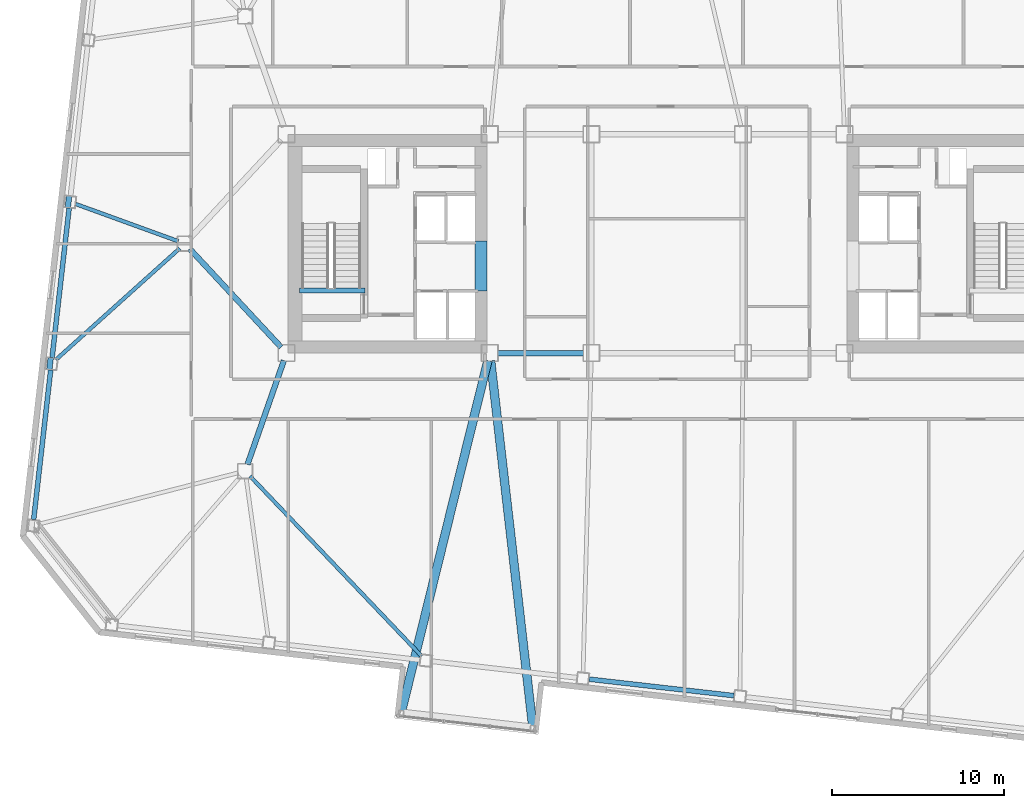
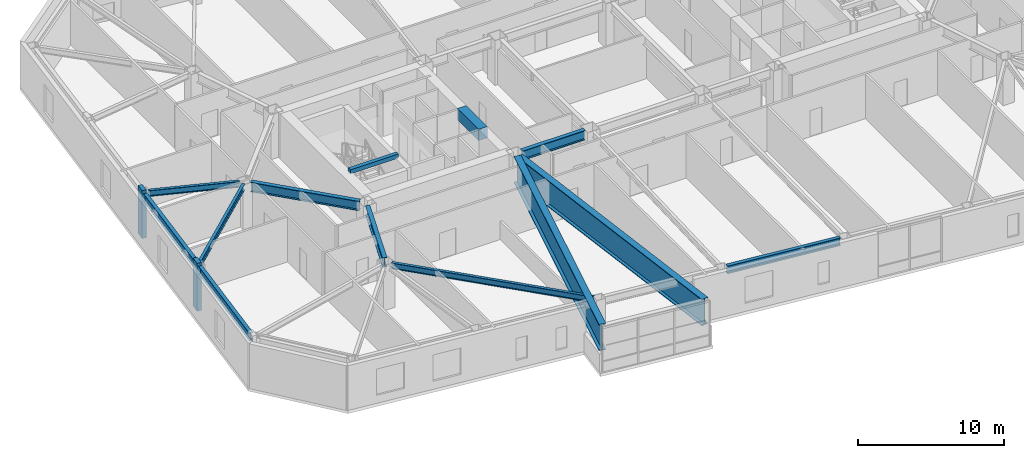
# One storey, part 4 of 22: 13 beams, 2 members.
"""IFC4 building model written with IfcOpenShell, lengths in metres."""

from ifc_helpers import new_model, si_unit, direction, frame, origin, origin_2d, place, context, subcontext, project, spatial, rectangle, i_section, extrude, material, material_profile, profile_set, type_object, element, save


model = new_model("IFC4")

# Units and contexts
model_context = context("Model", 3, precision=1e-05, world=origin(), true_north=direction((0.0, 1.0)))
body_context = subcontext(model_context, "Body", "Model", "MODEL_VIEW")
ifc_project = project(units=[si_unit("LENGTHUNIT", "METRE"), si_unit("AREAUNIT", "SQUARE_METRE"), si_unit("VOLUMEUNIT", "CUBIC_METRE"), si_unit("PLANEANGLEUNIT", "RADIAN"), si_unit("MASSUNIT", "GRAM", prefix="KILO")], contexts=[model_context])

# Site, building, storey
site_placement = place(None, origin())
site = spatial("IfcSite", under=ifc_project, at=site_placement, CompositionType="ELEMENT")
building_placement = place(site_placement, origin())
building = spatial("IfcBuilding", under=site, at=building_placement, Name="Tavrogorsk Clinical Tower", CompositionType="ELEMENT")
storey_placement = place(building_placement, frame((0.0, 0.0, 93.39990234375)))
storey = spatial("IfcBuildingStorey", under=building, at=storey_placement, Name="L20", CompositionType="ELEMENT", Elevation=93.39990234375)

# Beams
ifc_material_1 = material(Name="Concrete B80", Category="concrete")
ifc_material_profile_1 = material_profile(ifc_material_1, rectangle(XDim=0.699951171875, YDim=0.949951171875, at=origin_2d()), Name="RC-CB-700x950")
ifc_profile_set_1 = profile_set([ifc_material_profile_1], Name="Concrete B80")
beam_type_1 = type_object("IfcBeamType", Name="CouplingBeam_RC700x950", PredefinedType="LINTEL", material=ifc_profile_set_1)
beam_1_placement = place(storey_placement, frame((-10.800048828125, -2.75, 3.26513671875), z_axis=(0.0, 1.0, 0.0), x_axis=(-1.0, 0.0, 0.0)))
element("IfcBeam", 1, at=beam_1_placement, inside=storey, type_object=beam_type_1, Name="L20 Core West Coupling Beam", PredefinedType="LINTEL", context=body_context, shape_type="SweptSolid", body=[
    extrude(rectangle(XDim=0.699951171875, YDim=0.949951171875, at=origin_2d()), origin(), (0.0, 0.0, 1.0), 2.89990234375),
])
ifc_material_2 = material(Name="Structural steel S355", Category="steel")
ifc_material_profile_2 = material_profile(ifc_material_2, i_section(OverallWidth=0.219970703125, OverallDepth=0.5, WebThickness=0.012939453125, FlangeThickness=0.02001953125, at=origin_2d()), Name="B-500x220x13x20")
ifc_profile_set_2 = profile_set([ifc_material_profile_2], Name="Structural steel S355")
beam_type_2 = type_object("IfcBeamType", Name="FloorBeam_B500", PredefinedType="BEAM", material=ifc_profile_set_2)
beam_2_placement = place(storey_placement, frame((-24.217041015625, -13.496826171875, 3.489990234375), z_axis=(0.689995410805, -0.723813741972, 0.0), x_axis=(0.723813741972, 0.689995410805, 0.0)))
element("IfcBeam", 2, at=beam_2_placement, inside=storey, type_object=beam_type_2, Name="L20 Radial Floor Beam S3", PredefinedType="BEAM", context=body_context, shape_type="SweptSolid", body=[
    extrude(i_section(OverallWidth=0.219970703125, OverallDepth=0.5, WebThickness=0.012939453125, FlangeThickness=0.02001953125, at=origin_2d()), origin(), (0.0, 0.0, 1.0), 14.4384765625),
])
beam_3_placement = place(storey_placement, frame((-28.385498046875, 0.139892578125, 3.489990234375), z_axis=(-0.939993443432, 0.341192506225, 0.0), x_axis=(-0.341192506225, -0.939993443432, 0.0)))
element("IfcBeam", 3, at=beam_3_placement, inside=storey, type_object=beam_type_2, Name="L20 Radial Floor Beam W3", PredefinedType="BEAM", context=body_context, shape_type="SweptSolid", body=[
    extrude(i_section(OverallWidth=0.219970703125, OverallDepth=0.5, WebThickness=0.012939453125, FlangeThickness=0.02001953125, at=origin_2d()), origin(), (0.0, 0.0, 1.0), 6.33837890625),
])
beam_4_placement = place(storey_placement, frame((-28.3046875, -0.274169921875, 3.489990234375), z_axis=(-0.743369550828, -0.668880939257, 0.0), x_axis=(0.668880939257, -0.743369550828, 0.0)))
element("IfcBeam", 4, at=beam_4_placement, inside=storey, type_object=beam_type_2, Name="L20 Radial Floor Beam W4", PredefinedType="BEAM", context=body_context, shape_type="SweptSolid", body=[
    extrude(i_section(OverallWidth=0.219970703125, OverallDepth=0.5, WebThickness=0.012939453125, FlangeThickness=0.02001953125, at=origin_2d()), origin(), (0.0, 0.0, 1.0), 9.658935546875),
])

# Members
ifc_material_3 = material(Name="Precast concrete B45 with limestone cladding", Category="masonry")
ifc_material_profile_3 = material_profile(ifc_material_3, rectangle(XDim=0.320068359375, YDim=0.719970703125, at=origin_2d()), Name="LIMESTONE-FIN-320x720")
ifc_profile_set_3 = profile_set([ifc_material_profile_3], Name="Precast concrete B45 with limestone cladding")
member_type = type_object("IfcMemberType", Name="LimestonePleatFin_320x720", PredefinedType="USERDEFINED", material=ifc_profile_set_3)
for number, where, z_axis, x_axis, name in (
    (5, (-34.759521484375, 2.433837890625, 0.0), (0.0, 0.0, 1.0), (0.993571855677, -0.113203213768, 0.0), "L20 W Pleated Stone Fin 2"),
    (6, (-35.83056640625, -6.96533203125, 0.0), (0.0, 0.0, 1.0), (0.993571855677, -0.113203213768, 0.0), "L20 W Pleated Stone Fin 3"),
):
    element("IfcMember", number, at=place(storey_placement, frame(where, z_axis=z_axis, x_axis=x_axis)), inside=storey, type_object=member_type, Name=name, ObjectType="FIN", PredefinedType="USERDEFINED", context=body_context, shape_type="SweptSolid", body=[
        extrude(rectangle(XDim=0.320068359375, YDim=0.719970703125, at=origin_2d()), origin(), (0.0, 0.0, 1.0), 4.0),
    ])

# Beams
ifc_material_4 = material(Name="Structural steel S390", Category="steel")
ifc_material_profile_4 = material_profile(ifc_material_4, i_section(OverallWidth=0.320068359375, OverallDepth=0.800048828125, WebThickness=0.02001953125, FlangeThickness=0.033935546875, at=origin_2d()), Name="B-800x320x20x34")
ifc_profile_set_4 = profile_set([ifc_material_profile_4], Name="Structural steel S390")
beam_type_3 = type_object("IfcBeamType", Name="PrimaryGirder_B800", PredefinedType="USERDEFINED", material=ifc_profile_set_4)
beam_5_placement = place(storey_placement, frame((-9.840087890625, -6.35009765625, 3.340087890625), z_axis=(1.0, 0.0, 0.0), x_axis=(0.0, 1.0, 0.0)))
element("IfcBeam", 7, at=beam_5_placement, inside=storey, type_object=beam_type_3, Name="L20 Primary Spine Girder MG-01", ObjectType="GIRDER", PredefinedType="USERDEFINED", context=body_context, shape_type="SweptSolid", body=[
    extrude(i_section(OverallWidth=0.320068359375, OverallDepth=0.800048828125, WebThickness=0.02001953125, FlangeThickness=0.033935546875, at=origin_2d()), origin(), (0.0, 0.0, 1.0), 4.97998046875),
])
beam_6_placement = place(storey_placement, frame((-24.364501953125, -12.81298828125, 3.340087890625), z_axis=(0.330660234815, 0.943749865755, 0.0), x_axis=(-0.943749865755, 0.330660234815, 0.0)))
element("IfcBeam", 8, at=beam_6_placement, inside=storey, type_object=beam_type_3, Name="L20 Spine Link Girder OPG-1", ObjectType="GIRDER", PredefinedType="USERDEFINED", context=body_context, shape_type="SweptSolid", body=[
    extrude(i_section(OverallWidth=0.320068359375, OverallDepth=0.800048828125, WebThickness=0.02001953125, FlangeThickness=0.033935546875, at=origin_2d()), origin(), (0.0, 0.0, 1.0), 6.38818359375),
])
beam_7_placement = place(storey_placement, frame((-27.720947265625, -0.30029296875, 3.340087890625), z_axis=(0.680675630035, -0.732584934787, 0.0), x_axis=(0.732584934787, 0.680675630035, 0.0)))
element("IfcBeam", 9, at=beam_7_placement, inside=storey, type_object=beam_type_3, Name="L20 Spine Link Girder OPG-5", ObjectType="GIRDER", PredefinedType="USERDEFINED", context=body_context, shape_type="SweptSolid", body=[
    extrude(i_section(OverallWidth=0.320068359375, OverallDepth=0.800048828125, WebThickness=0.02001953125, FlangeThickness=0.033935546875, at=origin_2d()), origin(), (0.0, 0.0, 1.0), 7.7978515625),
])
ifc_material_5 = material(Name="Structural steel S390", Category="steel")
ifc_material_profile_5 = material_profile(ifc_material_5, i_section(OverallWidth=0.280029296875, OverallDepth=0.64990234375, WebThickness=0.01611328125, FlangeThickness=0.02490234375, at=origin_2d()), Name="B-650x280x16x25")
ifc_profile_set_5 = profile_set([ifc_material_profile_5], Name="Structural steel S390")
beam_type_4 = type_object("IfcBeamType", Name="SpandrelBeam_B650", PredefinedType="SPANDREL", material=ifc_profile_set_5)
beam_8_placement = place(storey_placement, frame((-4.533935546875, -25.2861328125, 3.4150390625), z_axis=(0.993572695356, -0.113195843756, 0.0), x_axis=(0.113195843756, 0.993572695356, 0.0)))
element("IfcBeam", 10, at=beam_8_placement, inside=storey, type_object=beam_type_4, Name="L20 Perimeter Spandrel S4-S5", PredefinedType="SPANDREL", context=body_context, shape_type="SweptSolid", body=[
    extrude(i_section(OverallWidth=0.280029296875, OverallDepth=0.64990234375, WebThickness=0.01611328125, FlangeThickness=0.02490234375, at=origin_2d()), origin(), (0.0, 0.0, 1.0), 8.461181640625),
])
for number, where, z_axis, x_axis, name in (
    (11, (-34.720703125, 2.069091796875, 3.4150390625), (-0.113192226434, -0.993573107464, 0.0), (0.993573107464, -0.113192226434, 0.0), "L20 Perimeter Spandrel W3-W4"),
    (12, (-35.79150390625, -7.330078125, 3.4150390625), (-0.113192226434, -0.993573107464, 0.0), (0.993573107464, -0.113192226434, 0.0), "L20 Perimeter Spandrel W4-W5"),
):
    element("IfcBeam", number, at=place(storey_placement, frame(where, z_axis=z_axis, x_axis=x_axis)), inside=storey, type_object=beam_type_4, Name=name, PredefinedType="SPANDREL", context=body_context, shape_type="SweptSolid", body=[
        extrude(i_section(OverallWidth=0.280029296875, OverallDepth=0.64990234375, WebThickness=0.01611328125, FlangeThickness=0.02490234375, at=origin_2d()), origin(), (0.0, 0.0, 1.0), 8.743896484375),
    ])
ifc_material_6 = material(Name="Concrete B60", Category="concrete")
ifc_material_profile_6 = material_profile(ifc_material_6, rectangle(XDim=0.300048828125, YDim=0.35009765625, at=origin_2d()), Name="RC-SHB-300x350")
ifc_profile_set_6 = profile_set([ifc_material_profile_6], Name="Concrete B60")
beam_type_5 = type_object("IfcBeamType", Name="StairHeaderBeam_RC300x350", PredefinedType="BEAM", material=ifc_profile_set_6)
beam_9_placement = place(storey_placement, frame((-21.35009765625, -2.719970703125, 3.8251953125), z_axis=(1.0, 0.0, 0.0), x_axis=(0.0, 1.0, 0.0)))
element("IfcBeam", 13, at=beam_9_placement, inside=storey, type_object=beam_type_5, Name="L21 ST-W Landing Header Beam", PredefinedType="BEAM", context=body_context, shape_type="SweptSolid", body=[
    extrude(rectangle(XDim=0.300048828125, YDim=0.35009765625, at=origin_2d()), origin(), (0.0, 0.0, 1.0), 3.800048828125),
])
ifc_material_7 = material(Name="Structural steel S440", Category="steel")
ifc_material_profile_7 = material_profile(ifc_material_7, i_section(OverallWidth=0.5, OverallDepth=2.199951171875, WebThickness=0.035888671875, FlangeThickness=0.054931640625, at=origin_2d()), Name="DK-2200x500x36x55")
ifc_profile_set_7 = profile_set([ifc_material_profile_7], Name="Structural steel S440")
beam_type_6 = type_object("IfcBeamType", Name="TransferGirder_DK2200", PredefinedType="USERDEFINED", material=ifc_profile_set_7)
beam_10_placement = place(storey_placement, frame((-10.409912109375, -6.796630859375, 2.64013671875), z_axis=(-0.239115041261, -0.970991244576, 0.0), x_axis=(0.970991244576, -0.239115041261, 0.0)))
element("IfcBeam", 14, at=beam_10_placement, inside=storey, type_object=beam_type_6, Name="L20 Day-Room Cantilever Beam DRB-03-L", ObjectType="GIRDER", PredefinedType="USERDEFINED", context=body_context, shape_type="SweptSolid", body=[
    extrude(i_section(OverallWidth=0.5, OverallDepth=2.199951171875, WebThickness=0.035888671875, FlangeThickness=0.054931640625, at=origin_2d()), origin(), (0.0, 0.0, 1.0), 20.91748046875),
])
beam_11_placement = place(storey_placement, frame((-10.247314453125, -6.806884765625, 2.64013671875), z_axis=(0.114354048971, -0.993440059331, 0.0), x_axis=(0.993440059331, 0.114354048971, 0.0)))
element("IfcBeam", 15, at=beam_11_placement, inside=storey, type_object=beam_type_6, Name="L20 Day-Room Cantilever Beam DRB-03-R", ObjectType="GIRDER", PredefinedType="USERDEFINED", context=body_context, shape_type="SweptSolid", body=[
    extrude(i_section(OverallWidth=0.5, OverallDepth=2.199951171875, WebThickness=0.035888671875, FlangeThickness=0.054931640625, at=origin_2d()), origin(), (0.0, 0.0, 1.0), 21.30908203125),
])

save(model, "model.ifc")
